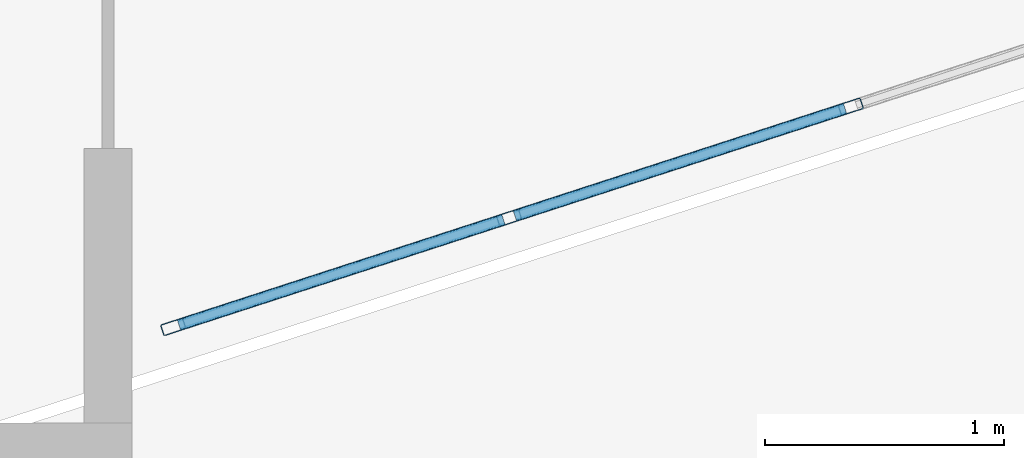
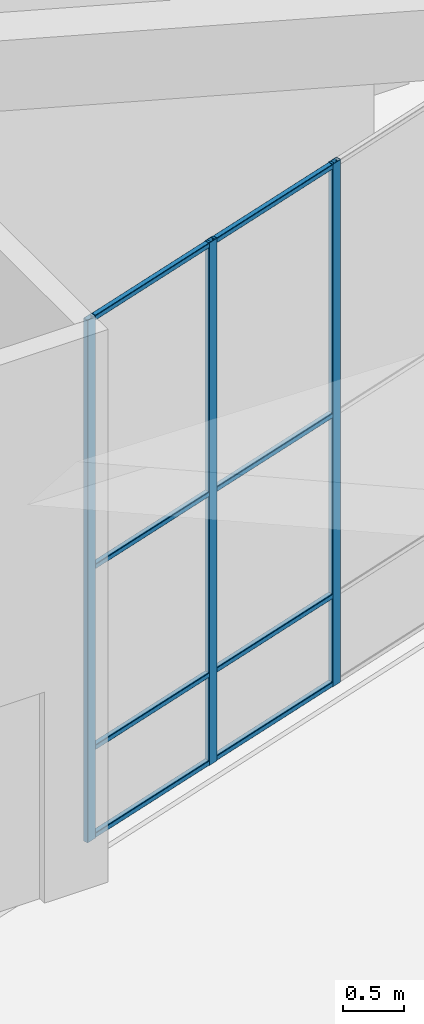
# One storey, part 3 of 72: 11 members, 1 element without a shape of its own.
"""IFC4 building model written with IfcOpenShell, lengths in metres."""

from ifc_helpers import new_model, si_unit, direction, frame, origin, origin_2d, place, context, subcontext, project, spatial, hollow_rectangle, extrude, material, layer, layer_set, material_profile, profile_set, type_object, element, aggregate, save


model = new_model("IFC4")

# Units and contexts
model_context = context("Model", 3, precision=1e-05, world=origin(), true_north=direction((0.0, 1.0)))
body_context = subcontext(model_context, "Body", "Model", "MODEL_VIEW")
ifc_project = project(units=[si_unit("LENGTHUNIT", "METRE"), si_unit("AREAUNIT", "SQUARE_METRE"), si_unit("VOLUMEUNIT", "CUBIC_METRE"), si_unit("PLANEANGLEUNIT", "RADIAN"), si_unit("MASSUNIT", "GRAM", prefix="KILO")], contexts=[model_context])

# Site, building, storey
site_placement = place(None, origin())
site = spatial("IfcSite", under=ifc_project, at=site_placement, CompositionType="ELEMENT")
building_placement = place(site_placement, origin())
building = spatial("IfcBuilding", under=site, at=building_placement, Name="Tuart Plaza Theatre", CompositionType="ELEMENT")
storey_placement = place(building_placement, origin())
storey = spatial("IfcBuildingStorey", under=building, at=storey_placement, Name="L00", CompositionType="ELEMENT", Elevation=0.0)

# Curtain wall, members
ifc_material_1 = material(Name="Aluminium and glass", Category="aluminium")
ifc_layer = layer(ifc_material_1, 0.10009765625)
ifc_layer_set = layer_set([ifc_layer], Name="CURTAIN WALL 1500 module")
curtain_wall_type = type_object("IfcCurtainWallType", Name="CURTAIN WALL 1500 module", PredefinedType="NOTDEFINED", material=ifc_layer_set)
curtain_wall_placement = place(storey_placement, origin())
curtain_wall = element("IfcCurtainWall", 1, at=curtain_wall_placement, inside=storey, type_object=curtain_wall_type, Name="CW1", PredefinedType="NOTDEFINED")
ifc_material_2 = material(Name="Aluminium 6063-T5", Category="aluminium")
ifc_material_profile_1 = material_profile(ifc_material_2, hollow_rectangle(XDim=0.050048828125, YDim=0.10009765625, WallThickness=0.00390625, InnerFilletRadius=0.00390625, OuterFilletRadius=0.008056640625, at=origin_2d()), Name="RHS 100x50x4")
ifc_profile_set_1 = profile_set([ifc_material_profile_1], Name="Aluminium 6063-T5")
member_type_1 = type_object("IfcMemberType", Name="MULLION RHS 100x50x4", PredefinedType="MULLION", material=ifc_profile_set_1)
member_1_placement = place(storey_placement, frame((71.523681640625, 43.052734375, 0.0), z_axis=(0.0, 0.0, 1.0), x_axis=(-0.308985579126, 0.951066723155, 0.0)))
member_1 = element("IfcMember", 2, at=member_1_placement, type_object=member_type_1, Name="CW1 mullion 1", PredefinedType="MULLION", context=body_context, shape_type="SweptSolid", body=[
    extrude(hollow_rectangle(XDim=0.050048828125, YDim=0.10009765625, WallThickness=0.00390625, InnerFilletRadius=0.00390625, OuterFilletRadius=0.008056640625, at=origin_2d()), origin(), (0.0, 0.0, 1.0), 5.199951171875),
])
member_2_placement = place(storey_placement, frame((72.93115234375, 43.510009765625, 0.0), z_axis=(0.0, 0.0, 1.0), x_axis=(-0.308985579126, 0.951066723155, 0.0)))
member_2 = element("IfcMember", 3, at=member_2_placement, type_object=member_type_1, Name="CW1 mullion 2", PredefinedType="MULLION", context=body_context, shape_type="SweptSolid", body=[
    extrude(hollow_rectangle(XDim=0.050048828125, YDim=0.10009765625, WallThickness=0.00390625, InnerFilletRadius=0.00390625, OuterFilletRadius=0.008056640625, at=origin_2d()), origin(), (0.0, 0.0, 1.0), 5.199951171875),
])
member_3_placement = place(storey_placement, frame((74.362548828125, 43.97509765625, 0.0), z_axis=(0.0, 0.0, 1.0), x_axis=(-0.308985579126, 0.951066723155, 0.0)))
member_3 = element("IfcMember", 4, at=member_3_placement, type_object=member_type_1, Name="CW1 mullion 3", PredefinedType="MULLION", context=body_context, shape_type="SweptSolid", body=[
    extrude(hollow_rectangle(XDim=0.050048828125, YDim=0.10009765625, WallThickness=0.00390625, InnerFilletRadius=0.00390625, OuterFilletRadius=0.008056640625, at=origin_2d()), origin(), (0.0, 0.0, 1.0), 5.199951171875),
])
ifc_material_3 = material(Name="Aluminium 6063-T5", Category="aluminium")
ifc_material_profile_2 = material_profile(ifc_material_3, hollow_rectangle(XDim=0.050048828125, YDim=0.050048828125, WallThickness=0.00390625, InnerFilletRadius=0.00390625, OuterFilletRadius=0.008056640625, at=origin_2d()), Name="RHS 50x50x4")
ifc_profile_set_2 = profile_set([ifc_material_profile_2], Name="Aluminium 6063-T5")
member_type_2 = type_object("IfcMemberType", Name="TRANSOM RHS 50x50x4", PredefinedType="USERDEFINED", material=ifc_profile_set_2)
member_4_placement = place(storey_placement, frame((71.547607421875, 43.060546875, 0.02490234375), z_axis=(0.951096790658, 0.308893015135, 0.0), x_axis=(-0.308893015135, 0.951096790658, 0.0)))
member_4 = element("IfcMember", 5, at=member_4_placement, type_object=member_type_2, Name="CW1 transom 1.1", ObjectType="TRANSOM", PredefinedType="USERDEFINED", context=body_context, shape_type="SweptSolid", body=[
    extrude(hollow_rectangle(XDim=0.050048828125, YDim=0.050048828125, WallThickness=0.00390625, InnerFilletRadius=0.00390625, OuterFilletRadius=0.008056640625, at=origin_2d()), origin(), (0.0, 0.0, 1.0), 1.4296875),
])
member_5_placement = place(storey_placement, frame((71.547607421875, 43.060546875, 0.89990234375), z_axis=(0.951096790658, 0.308893015135, 0.0), x_axis=(-0.308893015135, 0.951096790658, 0.0)))
member_5 = element("IfcMember", 6, at=member_5_placement, type_object=member_type_2, Name="CW1 transom 1.2", ObjectType="TRANSOM", PredefinedType="USERDEFINED", context=body_context, shape_type="SweptSolid", body=[
    extrude(hollow_rectangle(XDim=0.050048828125, YDim=0.050048828125, WallThickness=0.00390625, InnerFilletRadius=0.00390625, OuterFilletRadius=0.008056640625, at=origin_2d()), origin(), (0.0, 0.0, 1.0), 1.4296875),
])
member_6_placement = place(storey_placement, frame((71.547607421875, 43.060546875, 2.699951171875), z_axis=(0.951096790658, 0.308893015135, 0.0), x_axis=(-0.308893015135, 0.951096790658, 0.0)))
member_6 = element("IfcMember", 7, at=member_6_placement, type_object=member_type_2, Name="CW1 transom 1.3", ObjectType="TRANSOM", PredefinedType="USERDEFINED", context=body_context, shape_type="SweptSolid", body=[
    extrude(hollow_rectangle(XDim=0.050048828125, YDim=0.050048828125, WallThickness=0.00390625, InnerFilletRadius=0.00390625, OuterFilletRadius=0.008056640625, at=origin_2d()), origin(), (0.0, 0.0, 1.0), 1.4296875),
])
member_7_placement = place(storey_placement, frame((71.547607421875, 43.060546875, 5.175048828125), z_axis=(0.951096790658, 0.308893015135, 0.0), x_axis=(-0.308893015135, 0.951096790658, 0.0)))
member_7 = element("IfcMember", 8, at=member_7_placement, type_object=member_type_2, Name="CW1 transom 1.4", ObjectType="TRANSOM", PredefinedType="USERDEFINED", context=body_context, shape_type="SweptSolid", body=[
    extrude(hollow_rectangle(XDim=0.050048828125, YDim=0.050048828125, WallThickness=0.00390625, InnerFilletRadius=0.00390625, OuterFilletRadius=0.008056640625, at=origin_2d()), origin(), (0.0, 0.0, 1.0), 1.4296875),
])
member_8_placement = place(storey_placement, frame((72.955078125, 43.517822265625, 0.02490234375), z_axis=(0.951088311505, 0.308919121645, 0.0), x_axis=(-0.308919121645, 0.951088311505, 0.0)))
member_8 = element("IfcMember", 9, at=member_8_placement, type_object=member_type_2, Name="CW1 transom 2.1", ObjectType="TRANSOM", PredefinedType="USERDEFINED", context=body_context, shape_type="SweptSolid", body=[
    extrude(hollow_rectangle(XDim=0.050048828125, YDim=0.050048828125, WallThickness=0.00390625, InnerFilletRadius=0.00390625, OuterFilletRadius=0.008056640625, at=origin_2d()), origin(), (0.0, 0.0, 1.0), 1.454833984375),
])
member_9_placement = place(storey_placement, frame((72.955078125, 43.517822265625, 0.89990234375), z_axis=(0.951088311505, 0.308919121645, 0.0), x_axis=(-0.308919121645, 0.951088311505, 0.0)))
member_9 = element("IfcMember", 10, at=member_9_placement, type_object=member_type_2, Name="CW1 transom 2.2", ObjectType="TRANSOM", PredefinedType="USERDEFINED", context=body_context, shape_type="SweptSolid", body=[
    extrude(hollow_rectangle(XDim=0.050048828125, YDim=0.050048828125, WallThickness=0.00390625, InnerFilletRadius=0.00390625, OuterFilletRadius=0.008056640625, at=origin_2d()), origin(), (0.0, 0.0, 1.0), 1.454833984375),
])
member_10_placement = place(storey_placement, frame((72.955078125, 43.517822265625, 2.699951171875), z_axis=(0.951088311505, 0.308919121645, 0.0), x_axis=(-0.308919121645, 0.951088311505, 0.0)))
member_10 = element("IfcMember", 11, at=member_10_placement, type_object=member_type_2, Name="CW1 transom 2.3", ObjectType="TRANSOM", PredefinedType="USERDEFINED", context=body_context, shape_type="SweptSolid", body=[
    extrude(hollow_rectangle(XDim=0.050048828125, YDim=0.050048828125, WallThickness=0.00390625, InnerFilletRadius=0.00390625, OuterFilletRadius=0.008056640625, at=origin_2d()), origin(), (0.0, 0.0, 1.0), 1.454833984375),
])
member_11_placement = place(storey_placement, frame((72.955078125, 43.517822265625, 5.175048828125), z_axis=(0.951088311505, 0.308919121645, 0.0), x_axis=(-0.308919121645, 0.951088311505, 0.0)))
member_11 = element("IfcMember", 12, at=member_11_placement, type_object=member_type_2, Name="CW1 transom 2.4", ObjectType="TRANSOM", PredefinedType="USERDEFINED", context=body_context, shape_type="SweptSolid", body=[
    extrude(hollow_rectangle(XDim=0.050048828125, YDim=0.050048828125, WallThickness=0.00390625, InnerFilletRadius=0.00390625, OuterFilletRadius=0.008056640625, at=origin_2d()), origin(), (0.0, 0.0, 1.0), 1.454833984375),
])
aggregate(curtain_wall, [member_1, member_2, member_3, member_4, member_5, member_6, member_7, member_8, member_9, member_10, member_11])

save(model, "model.ifc")
